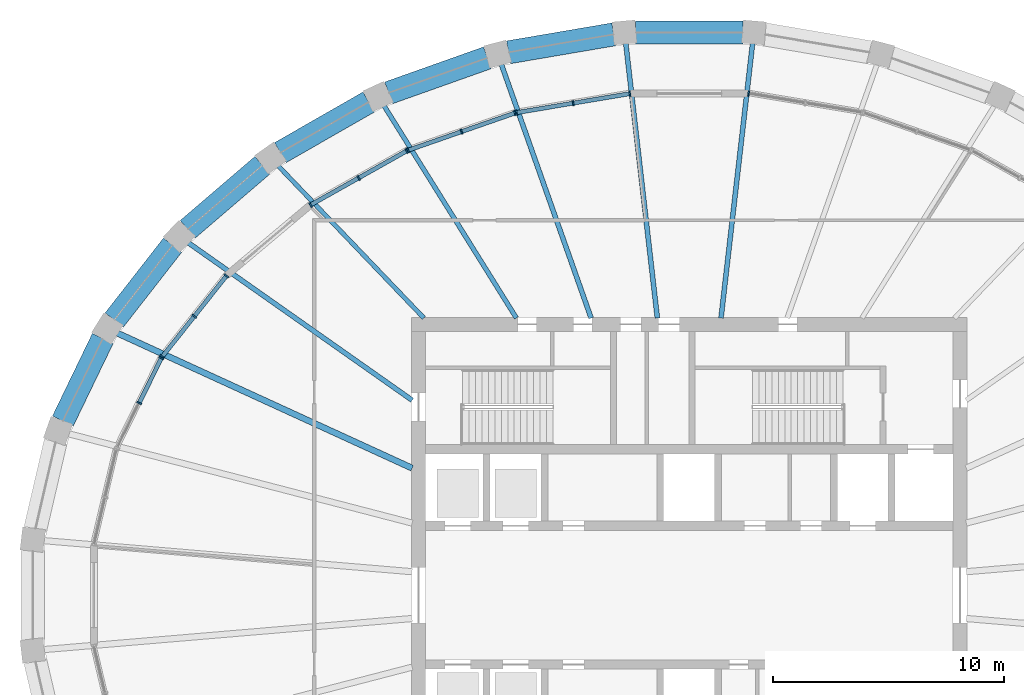
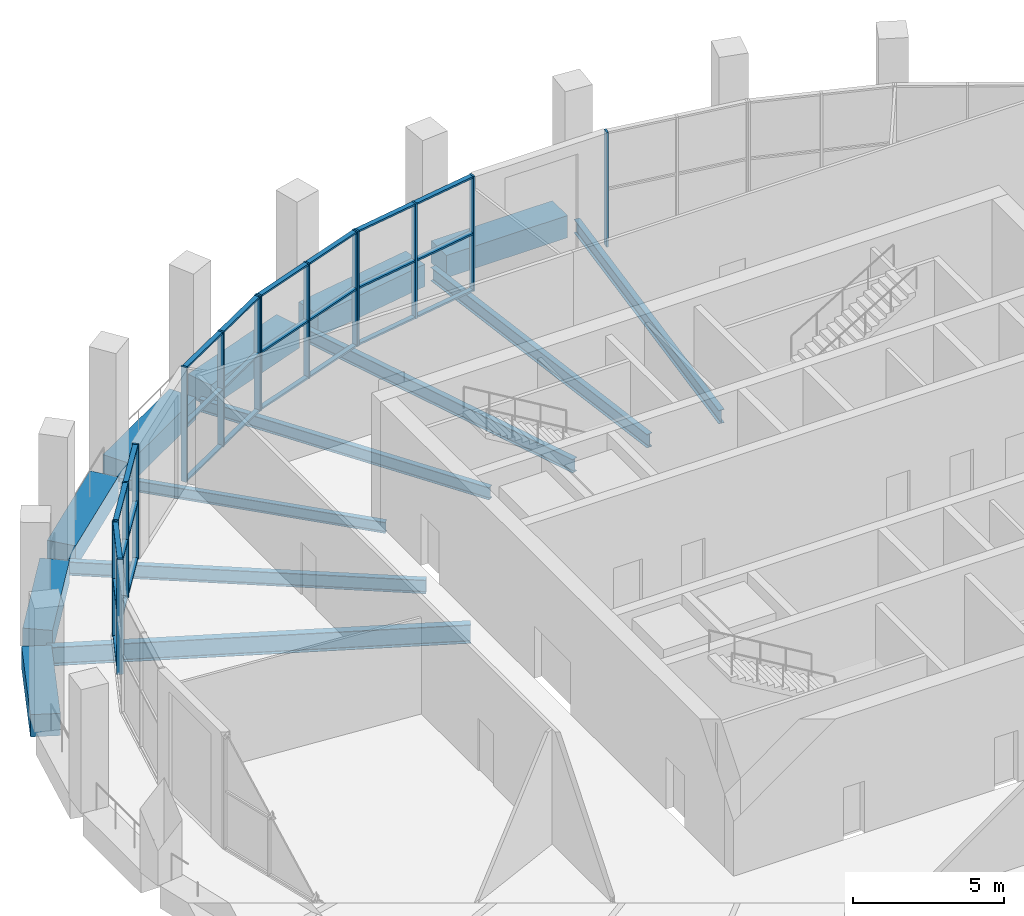
# One storey, part 6 of 16: 42 members, 14 beams, 6 elements without a shape of their own.
"""IFC4 building model written with IfcOpenShell, lengths in metres."""

from ifc_helpers import new_model, si_unit, direction, frame, origin, origin_2d, place, context, subcontext, project, spatial, rectangle, i_section, extrude, material, material_profile, profile_set, type_object, element, aggregate, save


model = new_model("IFC4")

# Units and contexts
model_context = context("Model", 3, precision=1e-05, world=origin(), true_north=direction((0.0, 1.0)))
body_context = subcontext(model_context, "Body", "Model", "MODEL_VIEW")
ifc_project = project(units=[si_unit("LENGTHUNIT", "METRE"), si_unit("AREAUNIT", "SQUARE_METRE"), si_unit("VOLUMEUNIT", "CUBIC_METRE"), si_unit("PLANEANGLEUNIT", "RADIAN"), si_unit("MASSUNIT", "GRAM", prefix="KILO")], contexts=[model_context])

# Site, building, storey
site_placement = place(None, origin())
site = spatial("IfcSite", under=ifc_project, at=site_placement, CompositionType="ELEMENT")
building_placement = place(site_placement, origin())
building = spatial("IfcBuilding", under=site, at=building_placement, Name="Halqa Exchange Tower", CompositionType="ELEMENT")
storey_placement = place(building_placement, frame((0.0, 0.0, 333.300048828125)))
storey = spatial("IfcBuildingStorey", under=building, at=storey_placement, Name="L78", CompositionType="ELEMENT", Elevation=333.300048828125)

# Beams
ifc_material_1 = material(Name="Steel S355", Category="steel")
ifc_material_profile_1 = material_profile(ifc_material_1, i_section(OverallWidth=0.18994140625, OverallDepth=0.449951171875, WebThickness=0.009521484375, FlangeThickness=0.0146484375, FilletRadius=0.02099609375, at=origin_2d()), Name="IPE 450")
ifc_profile_set_1 = profile_set([ifc_material_profile_1], Name="Steel S355")
beam_type_1 = type_object("IfcBeamType", Name="Floor beam IPE 450", PredefinedType="BEAM", material=ifc_profile_set_1)
beam_1_placement = place(storey_placement, frame((-11.462890625, 11.97216796875, -0.574951171875), z_axis=(-0.6915759213, 0.722303776175, 0.0), x_axis=(-0.722303776175, -0.6915759213, 0.0)))
element("IfcBeam", 1, at=beam_1_placement, inside=storey, type_object=beam_type_1, Name="Radial beam 12", PredefinedType="BEAM", context=body_context, shape_type="SweptSolid", body=[
    extrude(i_section(OverallWidth=0.18994140625, OverallDepth=0.449951171875, WebThickness=0.009521484375, FlangeThickness=0.0146484375, FilletRadius=0.02099609375, at=origin_2d()), origin(), (0.0, 0.0, 1.0), 9.192626953125),
])
ifc_material_profile_2 = material_profile(ifc_material_1, i_section(OverallWidth=0.199951171875, OverallDepth=0.5, WebThickness=0.01025390625, FlangeThickness=0.01611328125, FilletRadius=0.02099609375, at=origin_2d()), Name="IPE 500")
ifc_profile_set_2 = profile_set([ifc_material_profile_2], Name="Steel S355")
beam_type_2 = type_object("IfcBeamType", Name="Floor beam IPE 500", PredefinedType="BEAM", material=ifc_profile_set_2)
beam_2_placement = place(storey_placement, frame((-7.4658203125, 11.97216796875, -0.60009765625), z_axis=(-0.529137326003, 0.848536204431, 0.0), x_axis=(-0.848536204431, -0.529137326003, 0.0)))
element("IfcBeam", 2, at=beam_2_placement, inside=storey, type_object=beam_type_2, Name="Radial beam 11", PredefinedType="BEAM", context=body_context, shape_type="SweptSolid", body=[
    extrude(i_section(OverallWidth=0.199951171875, OverallDepth=0.5, WebThickness=0.01025390625, FlangeThickness=0.01611328125, FilletRadius=0.02099609375, at=origin_2d()), origin(), (0.0, 0.0, 1.0), 10.904541015625),
])
ifc_material_profile_3 = material_profile(ifc_material_1, i_section(OverallWidth=0.2099609375, OverallDepth=0.550048828125, WebThickness=0.010986328125, FlangeThickness=0.01708984375, FilletRadius=0.02392578125, at=origin_2d()), Name="IPE 550")
ifc_profile_set_3 = profile_set([ifc_material_profile_3], Name="Steel S355")
beam_type_3 = type_object("IfcBeamType", Name="Floor beam IPE 550", PredefinedType="BEAM", material=ifc_profile_set_3)
for number, where, z_axis, x_axis, name in (
    (3, (1.37548828125, 11.9716796875, -0.625), (0.114162628095, 0.993462074941, 0.0), (-0.993462074941, 0.114162628095, 0.0), "Radial beam 8"),
    (4, (-1.37548828125, 11.9716796875, -0.625), (-0.114162628095, 0.993462074941, 0.0), (-0.993462074941, -0.114162628095, 0.0), "Radial beam 9"),
):
    element("IfcBeam", number, at=place(storey_placement, frame(where, z_axis=z_axis, x_axis=x_axis)), inside=storey, type_object=beam_type_3, Name=name, PredefinedType="BEAM", context=body_context, shape_type="SweptSolid", body=[
        extrude(i_section(OverallWidth=0.2099609375, OverallDepth=0.550048828125, WebThickness=0.010986328125, FlangeThickness=0.01708984375, FilletRadius=0.02392578125, at=origin_2d()), origin(), (0.0, 0.0, 1.0), 12.048583984375),
    ])
beam_3_placement = place(storey_placement, frame((-4.23681640625, 11.971923828125, -0.625), z_axis=(-0.333622781905, 0.942706656067, 0.0), x_axis=(-0.942706656067, -0.333622781905, 0.0)))
element("IfcBeam", 5, at=beam_3_placement, inside=storey, type_object=beam_type_3, Name="Radial beam 10", PredefinedType="BEAM", context=body_context, shape_type="SweptSolid", body=[
    extrude(i_section(OverallWidth=0.2099609375, OverallDepth=0.550048828125, WebThickness=0.010986328125, FlangeThickness=0.01708984375, FilletRadius=0.02392578125, at=origin_2d()), origin(), (0.0, 0.0, 1.0), 11.723876953125),
])
beam_4_placement = place(storey_placement, frame((-11.97265625, 8.422119140625, -0.625), z_axis=(-0.817914568296, 0.57533969007, 0.0), x_axis=(-0.57533969007, -0.817914568296, 0.0)))
element("IfcBeam", 6, at=beam_4_placement, inside=storey, type_object=beam_type_3, Name="Radial beam 13", PredefinedType="BEAM", context=body_context, shape_type="SweptSolid", body=[
    extrude(i_section(OverallWidth=0.2099609375, OverallDepth=0.550048828125, WebThickness=0.010986328125, FlangeThickness=0.01708984375, FilletRadius=0.02392578125, at=origin_2d()), origin(), (0.0, 0.0, 1.0), 11.92138671875),
])
ifc_material_profile_4 = material_profile(ifc_material_1, i_section(OverallWidth=0.264892578125, OverallDepth=0.7529296875, WebThickness=0.01318359375, FlangeThickness=0.01708984375, FilletRadius=0.01708984375, at=origin_2d()), Name="IPE 750x147")
ifc_profile_set_4 = profile_set([ifc_material_profile_4], Name="Steel S355")
beam_type_4 = type_object("IfcBeamType", Name="Floor beam IPE 750x147", PredefinedType="BEAM", material=ifc_profile_set_4)
beam_5_placement = place(storey_placement, frame((-11.972412109375, 5.485107421875, -0.7265625), z_axis=(-0.909126834486, 0.416519385884, 0.0), x_axis=(-0.416519385884, -0.909126834486, 0.0)))
element("IfcBeam", 7, at=beam_5_placement, inside=storey, type_object=beam_type_4, Name="Radial beam 14", PredefinedType="BEAM", context=body_context, shape_type="SweptSolid", body=[
    extrude(i_section(OverallWidth=0.264892578125, OverallDepth=0.7529296875, WebThickness=0.01318359375, FlangeThickness=0.01708984375, FilletRadius=0.01708984375, at=origin_2d()), origin(), (0.0, 0.0, 1.0), 14.10205078125),
])
ifc_material_2 = material(Name="Concrete C60/75", Category="concrete")
ifc_material_profile_5 = material_profile(ifc_material_2, rectangle(XDim=1.0, YDim=0.89990234375, at=origin_2d()), Name="1000 x 900")
ifc_profile_set_5 = profile_set([ifc_material_profile_5], Name="Concrete C60/75")
beam_type_5 = type_object("IfcBeamType", Name="RC spandrel beam 1000 x 900 C60/75", PredefinedType="SPANDREL", material=ifc_profile_set_5)
beam_6_placement = place(storey_placement, frame((2.319580078125, 24.31103515625, -0.449951171875), z_axis=(-1.0, 0.0, 0.0), x_axis=(0.0, -1.0, 0.0)))
element("IfcBeam", 8, at=beam_6_placement, inside=storey, type_object=beam_type_5, Name="Spandrel 8", PredefinedType="SPANDREL", context=body_context, shape_type="SweptSolid", body=[
    extrude(rectangle(XDim=1.0, YDim=0.89990234375, at=origin_2d()), origin(), (0.0, 0.0, 1.0), 4.63916015625),
])
beam_7_placement = place(storey_placement, frame((-3.2607421875, 24.231201171875, -0.449951171875), z_axis=(-0.985773042695, -0.168081849987, 0.0), x_axis=(0.168081849987, -0.985773042695, 0.0)))
element("IfcBeam", 9, at=beam_7_placement, inside=storey, type_object=beam_type_5, Name="Spandrel 9", PredefinedType="SPANDREL", context=body_context, shape_type="SweptSolid", body=[
    extrude(rectangle(XDim=1.0, YDim=0.89990234375, at=origin_2d()), origin(), (0.0, 0.0, 1.0), 4.6103515625),
])
beam_8_placement = place(storey_placement, frame((-8.718994140625, 23.218505859375, -0.449951171875), z_axis=(-0.94236088808, -0.334598201755, 0.0), x_axis=(0.334598201755, -0.94236088808, 0.0)))
element("IfcBeam", 10, at=beam_8_placement, inside=storey, type_object=beam_type_5, Name="Spandrel 10", PredefinedType="SPANDREL", context=body_context, shape_type="SweptSolid", body=[
    extrude(rectangle(XDim=1.0, YDim=0.89990234375, at=origin_2d()), origin(), (0.0, 0.0, 1.0), 4.530517578125),
])
beam_9_placement = place(storey_placement, frame((-13.8466796875, 21.30810546875, -0.449951171875), z_axis=(-0.86778573249, -0.49693855001, 0.0), x_axis=(0.49693855001, -0.86778573249, 0.0)))
element("IfcBeam", 11, at=beam_9_placement, inside=storey, type_object=beam_type_5, Name="Spandrel 11", PredefinedType="SPANDREL", context=body_context, shape_type="SweptSolid", body=[
    extrude(rectangle(XDim=1.0, YDim=0.89990234375, at=origin_2d()), origin(), (0.0, 0.0, 1.0), 4.40478515625),
])
beam_10_placement = place(storey_placement, frame((-18.44091796875, 18.574462890625, -0.449951171875), z_axis=(-0.759232294843, -0.65081973116, 0.0), x_axis=(0.65081973116, -0.759232294843, 0.0)))
element("IfcBeam", 12, at=beam_10_placement, inside=storey, type_object=beam_type_5, Name="Spandrel 12", PredefinedType="SPANDREL", context=body_context, shape_type="SweptSolid", body=[
    extrude(rectangle(XDim=1.0, YDim=0.89990234375, at=origin_2d()), origin(), (0.0, 0.0, 1.0), 4.25390625),
])
beam_11_placement = place(storey_placement, frame((-22.322021484375, 15.123779296875, -0.449951171875), z_axis=(-0.61480594236, -0.788678421943, 0.0), x_axis=(0.788678421943, -0.61480594236, 0.0)))
element("IfcBeam", 13, at=beam_11_placement, inside=storey, type_object=beam_type_5, Name="Spandrel 13", PredefinedType="SPANDREL", context=body_context, shape_type="SweptSolid", body=[
    extrude(rectangle(XDim=1.0, YDim=0.89990234375, at=origin_2d()), origin(), (0.0, 0.0, 1.0), 4.10009765625),
])
beam_12_placement = place(storey_placement, frame((-25.34130859375, 11.088623046875, -0.449951171875), z_axis=(-0.43505216676, -0.900405248873, 0.0), x_axis=(0.900405248873, -0.43505216676, 0.0)))
element("IfcBeam", 14, at=beam_12_placement, inside=storey, type_object=beam_type_5, Name="Spandrel 14", PredefinedType="SPANDREL", context=body_context, shape_type="SweptSolid", body=[
    extrude(rectangle(XDim=1.0, YDim=0.89990234375, at=origin_2d()), origin(), (0.0, 0.0, 1.0), 3.964111328125),
])

# Curtain wall, member
ifc_material_3 = material(Name="Anodised aluminium and clear glass", Category="aluminium")
curtain_wall_type = type_object("IfcCurtainWallType", Name="Sky lobby glazing", PredefinedType="NOTDEFINED", material=ifc_material_3)
curtain_wall_1_placement = place(storey_placement, origin())
curtain_wall_1 = element("IfcCurtainWall", 15, at=curtain_wall_1_placement, inside=storey, type_object=curtain_wall_type, Name="Sky lobby glazing run G7", PredefinedType="NOTDEFINED")
ifc_material_4 = material(Name="Anodised aluminium", Category="aluminium")
ifc_material_profile_6 = material_profile(ifc_material_4, rectangle(XDim=0.219970703125, YDim=0.070068359375, at=origin_2d()), Name="AL 70x220")
ifc_profile_set_6 = profile_set([ifc_material_profile_6], Name="Anodised aluminium")
member_type_1 = type_object("IfcMemberType", Name="Sky lobby glazing mullion 70 x 220", PredefinedType="MULLION", material=ifc_profile_set_6)
member_1_placement = place(storey_placement, frame((2.56591796875, 21.668701171875, 0.0), z_axis=(0.0, 0.0, 1.0), x_axis=(-0.165117129007, -0.986273964834, 0.0)))
member_1 = element("IfcMember", 16, at=member_1_placement, type_object=member_type_1, Name="G7 mullion 3", PredefinedType="MULLION", context=body_context, shape_type="SweptSolid", body=[
    extrude(rectangle(XDim=0.219970703125, YDim=0.070068359375, at=origin_2d()), origin(), (0.0, 0.0, 1.0), 4.64990234375),
])
aggregate(curtain_wall_1, [member_1])

# Curtain wall, members
curtain_wall_2_placement = place(storey_placement, origin())
curtain_wall_2 = element("IfcCurtainWall", 17, at=curtain_wall_2_placement, inside=storey, type_object=curtain_wall_type, Name="Sky lobby glazing run G9", PredefinedType="NOTDEFINED")
member_2_placement = place(storey_placement, frame((-2.56591796875, 21.668701171875, 0.0), z_axis=(0.0, 0.0, 1.0), x_axis=(0.165117129007, -0.986273964834, 0.0)))
member_2 = element("IfcMember", 18, at=member_2_placement, type_object=member_type_1, Name="G9 mullion 1", PredefinedType="MULLION", context=body_context, shape_type="SweptSolid", body=[
    extrude(rectangle(XDim=0.219970703125, YDim=0.070068359375, at=origin_2d()), origin(), (0.0, 0.0, 1.0), 4.64990234375),
])
member_3_placement = place(storey_placement, frame((-5.0146484375, 21.2587890625, 0.0), z_axis=(0.0, 0.0, 1.0), x_axis=(0.165117129007, -0.986273964834, 0.0)))
member_3 = element("IfcMember", 19, at=member_3_placement, type_object=member_type_1, Name="G9 mullion 2", PredefinedType="MULLION", context=body_context, shape_type="SweptSolid", body=[
    extrude(rectangle(XDim=0.219970703125, YDim=0.070068359375, at=origin_2d()), origin(), (0.0, 0.0, 1.0), 4.64990234375),
])
member_4_placement = place(storey_placement, frame((-7.463134765625, 20.848876953125, 0.0), z_axis=(0.0, 0.0, 1.0), x_axis=(0.165117129007, -0.986273964834, 0.0)))
member_4 = element("IfcMember", 20, at=member_4_placement, type_object=member_type_1, Name="G9 mullion 3", PredefinedType="MULLION", context=body_context, shape_type="SweptSolid", body=[
    extrude(rectangle(XDim=0.219970703125, YDim=0.070068359375, at=origin_2d()), origin(), (0.0, 0.0, 1.0), 4.64990234375),
])

curtain_wall_3_placement = place(storey_placement, origin())
curtain_wall_3 = element("IfcCurtainWall", 21, at=curtain_wall_3_placement, inside=storey, type_object=curtain_wall_type, Name="Sky lobby glazing run G10", PredefinedType="NOTDEFINED")
member_5_placement = place(storey_placement, frame((-7.53076171875, 20.83154296875, 0.0), z_axis=(0.0, 0.0, 1.0), x_axis=(0.329160021888, -0.9442741551, 0.0)))
member_5 = element("IfcMember", 22, at=member_5_placement, type_object=member_type_1, Name="G10 mullion 1", PredefinedType="MULLION", context=body_context, shape_type="SweptSolid", body=[
    extrude(rectangle(XDim=0.219970703125, YDim=0.070068359375, at=origin_2d()), origin(), (0.0, 0.0, 1.0), 4.64990234375),
])
member_6_placement = place(storey_placement, frame((-9.837158203125, 20.027587890625, 0.0), z_axis=(0.0, 0.0, 1.0), x_axis=(0.329160021888, -0.9442741551, 0.0)))
member_6 = element("IfcMember", 23, at=member_6_placement, type_object=member_type_1, Name="G10 mullion 2", PredefinedType="MULLION", context=body_context, shape_type="SweptSolid", body=[
    extrude(rectangle(XDim=0.219970703125, YDim=0.070068359375, at=origin_2d()), origin(), (0.0, 0.0, 1.0), 4.64990234375),
])
member_7_placement = place(storey_placement, frame((-12.143798828125, 19.2236328125, 0.0), z_axis=(0.0, 0.0, 1.0), x_axis=(0.329160021888, -0.9442741551, 0.0)))
member_7 = element("IfcMember", 24, at=member_7_placement, type_object=member_type_1, Name="G10 mullion 3", PredefinedType="MULLION", context=body_context, shape_type="SweptSolid", body=[
    extrude(rectangle(XDim=0.219970703125, YDim=0.070068359375, at=origin_2d()), origin(), (0.0, 0.0, 1.0), 4.64990234375),
])

curtain_wall_4_placement = place(storey_placement, origin())
curtain_wall_4 = element("IfcCurtainWall", 25, at=curtain_wall_4_placement, inside=storey, type_object=curtain_wall_type, Name="Sky lobby glazing run G11", PredefinedType="NOTDEFINED")
member_8_placement = place(storey_placement, frame((-12.207275390625, 19.19482421875, 0.0), z_axis=(0.0, 0.0, 1.0), x_axis=(0.490158094997, -0.871633547948, 0.0)))
member_8 = element("IfcMember", 26, at=member_8_placement, type_object=member_type_1, Name="G11 mullion 1", PredefinedType="MULLION", context=body_context, shape_type="SweptSolid", body=[
    extrude(rectangle(XDim=0.219970703125, YDim=0.070068359375, at=origin_2d()), origin(), (0.0, 0.0, 1.0), 4.64990234375),
])
member_9_placement = place(storey_placement, frame((-14.283203125, 18.02734375, 0.0), z_axis=(0.0, 0.0, 1.0), x_axis=(0.490158094997, -0.871633547948, 0.0)))
member_9 = element("IfcMember", 27, at=member_9_placement, type_object=member_type_1, Name="G11 mullion 2", PredefinedType="MULLION", context=body_context, shape_type="SweptSolid", body=[
    extrude(rectangle(XDim=0.219970703125, YDim=0.070068359375, at=origin_2d()), origin(), (0.0, 0.0, 1.0), 4.64990234375),
])
member_10_placement = place(storey_placement, frame((-16.359130859375, 16.860107421875, 0.0), z_axis=(0.0, 0.0, 1.0), x_axis=(0.490158094997, -0.871633547948, 0.0)))
member_10 = element("IfcMember", 28, at=member_10_placement, type_object=member_type_1, Name="G11 mullion 3", PredefinedType="MULLION", context=body_context, shape_type="SweptSolid", body=[
    extrude(rectangle(XDim=0.219970703125, YDim=0.070068359375, at=origin_2d()), origin(), (0.0, 0.0, 1.0), 4.64990234375),
])

curtain_wall_5_placement = place(storey_placement, origin())
curtain_wall_5 = element("IfcCurtainWall", 29, at=curtain_wall_5_placement, inside=storey, type_object=curtain_wall_type, Name="Sky lobby glazing run G13", PredefinedType="NOTDEFINED")
member_11_placement = place(storey_placement, frame((-19.996337890625, 13.798583984375, 0.0), z_axis=(0.0, 0.0, 1.0), x_axis=(0.783162355834, -0.621817275737, 0.0)))
member_11 = element("IfcMember", 30, at=member_11_placement, type_object=member_type_1, Name="G13 mullion 1", PredefinedType="MULLION", context=body_context, shape_type="SweptSolid", body=[
    extrude(rectangle(XDim=0.219970703125, YDim=0.070068359375, at=origin_2d()), origin(), (0.0, 0.0, 1.0), 4.64990234375),
])
member_12_placement = place(storey_placement, frame((-21.3837890625, 12.05126953125, 0.0), z_axis=(0.0, 0.0, 1.0), x_axis=(0.783162355834, -0.621817275737, 0.0)))
member_12 = element("IfcMember", 31, at=member_12_placement, type_object=member_type_1, Name="G13 mullion 2", PredefinedType="MULLION", context=body_context, shape_type="SweptSolid", body=[
    extrude(rectangle(XDim=0.219970703125, YDim=0.070068359375, at=origin_2d()), origin(), (0.0, 0.0, 1.0), 4.64990234375),
])
member_13_placement = place(storey_placement, frame((-22.771240234375, 10.3037109375, 0.0), z_axis=(0.0, 0.0, 1.0), x_axis=(0.783162355834, -0.621817275737, 0.0)))
member_13 = element("IfcMember", 32, at=member_13_placement, type_object=member_type_1, Name="G13 mullion 3", PredefinedType="MULLION", context=body_context, shape_type="SweptSolid", body=[
    extrude(rectangle(XDim=0.219970703125, YDim=0.070068359375, at=origin_2d()), origin(), (0.0, 0.0, 1.0), 4.64990234375),
])

curtain_wall_6_placement = place(storey_placement, origin())
curtain_wall_6 = element("IfcCurtainWall", 33, at=curtain_wall_6_placement, inside=storey, type_object=curtain_wall_type, Name="Sky lobby glazing run G14", PredefinedType="NOTDEFINED")
member_14_placement = place(storey_placement, frame((-22.808349609375, 10.2451171875, 0.0), z_axis=(0.0, 0.0, 1.0), x_axis=(0.897214741349, -0.441594506199, 0.0)))
member_14 = element("IfcMember", 34, at=member_14_placement, type_object=member_type_1, Name="G14 mullion 1", PredefinedType="MULLION", context=body_context, shape_type="SweptSolid", body=[
    extrude(rectangle(XDim=0.219970703125, YDim=0.070068359375, at=origin_2d()), origin(), (0.0, 0.0, 1.0), 4.64990234375),
])
member_15_placement = place(storey_placement, frame((-23.76416015625, 8.302978515625, 0.0), z_axis=(0.0, 0.0, 1.0), x_axis=(0.897214741349, -0.441594506199, 0.0)))
member_15 = element("IfcMember", 35, at=member_15_placement, type_object=member_type_1, Name="G14 mullion 2", PredefinedType="MULLION", context=body_context, shape_type="SweptSolid", body=[
    extrude(rectangle(XDim=0.219970703125, YDim=0.070068359375, at=origin_2d()), origin(), (0.0, 0.0, 1.0), 4.64990234375),
])

# Member
ifc_material_profile_7 = material_profile(ifc_material_4, rectangle(XDim=0.179931640625, YDim=0.070068359375, at=origin_2d()), Name="AL 70x180")
ifc_profile_set_7 = profile_set([ifc_material_profile_7], Name="Anodised aluminium")
member_type_2 = type_object("IfcMemberType", Name="Sky lobby glazing transom 70 x 180", PredefinedType="USERDEFINED", material=ifc_profile_set_7)
member_16_placement = place(storey_placement, frame((-2.6005859375, 21.662841796875, 0.034912109375), z_axis=(-0.986284301217, -0.165055376081, 0.0), x_axis=(0.165055376081, -0.986284301217, 0.0)))
member_16 = element("IfcMember", 36, at=member_16_placement, type_object=member_type_2, Name="G9 transom 1.1", ObjectType="TRANSOM", PredefinedType="USERDEFINED", context=body_context, shape_type="SweptSolid", body=[
    extrude(rectangle(XDim=0.179931640625, YDim=0.070068359375, at=origin_2d()), origin(), (0.0, 0.0, 1.0), 2.41259765625),
])

member_17_placement = place(storey_placement, frame((-2.6005859375, 21.662841796875, 2.324951171875), z_axis=(-0.986284301217, -0.165055376081, 0.0), x_axis=(0.165055376081, -0.986284301217, 0.0)))
member_17 = element("IfcMember", 37, at=member_17_placement, type_object=member_type_2, Name="G9 transom 1.2", ObjectType="TRANSOM", PredefinedType="USERDEFINED", context=body_context, shape_type="SweptSolid", body=[
    extrude(rectangle(XDim=0.179931640625, YDim=0.070068359375, at=origin_2d()), origin(), (0.0, 0.0, 1.0), 2.41259765625),
])

member_18_placement = place(storey_placement, frame((-2.6005859375, 21.662841796875, 4.614990234375), z_axis=(-0.986284301217, -0.165055376081, 0.0), x_axis=(0.165055376081, -0.986284301217, 0.0)))
member_18 = element("IfcMember", 38, at=member_18_placement, type_object=member_type_2, Name="G9 transom 1.3", ObjectType="TRANSOM", PredefinedType="USERDEFINED", context=body_context, shape_type="SweptSolid", body=[
    extrude(rectangle(XDim=0.179931640625, YDim=0.070068359375, at=origin_2d()), origin(), (0.0, 0.0, 1.0), 2.41259765625),
])

member_19_placement = place(storey_placement, frame((-5.049072265625, 21.2529296875, 0.034912109375), z_axis=(-0.986284301217, -0.165055376081, 0.0), x_axis=(0.165055376081, -0.986284301217, 0.0)))
member_19 = element("IfcMember", 39, at=member_19_placement, type_object=member_type_2, Name="G9 transom 2.1", ObjectType="TRANSOM", PredefinedType="USERDEFINED", context=body_context, shape_type="SweptSolid", body=[
    extrude(rectangle(XDim=0.179931640625, YDim=0.070068359375, at=origin_2d()), origin(), (0.0, 0.0, 1.0), 2.41259765625),
])

member_20_placement = place(storey_placement, frame((-5.049072265625, 21.2529296875, 2.324951171875), z_axis=(-0.986284301217, -0.165055376081, 0.0), x_axis=(0.165055376081, -0.986284301217, 0.0)))
member_20 = element("IfcMember", 40, at=member_20_placement, type_object=member_type_2, Name="G9 transom 2.2", ObjectType="TRANSOM", PredefinedType="USERDEFINED", context=body_context, shape_type="SweptSolid", body=[
    extrude(rectangle(XDim=0.179931640625, YDim=0.070068359375, at=origin_2d()), origin(), (0.0, 0.0, 1.0), 2.41259765625),
])

member_21_placement = place(storey_placement, frame((-5.049072265625, 21.2529296875, 4.614990234375), z_axis=(-0.986284301217, -0.165055376081, 0.0), x_axis=(0.165055376081, -0.986284301217, 0.0)))
member_21 = element("IfcMember", 41, at=member_21_placement, type_object=member_type_2, Name="G9 transom 2.3", ObjectType="TRANSOM", PredefinedType="USERDEFINED", context=body_context, shape_type="SweptSolid", body=[
    extrude(rectangle(XDim=0.179931640625, YDim=0.070068359375, at=origin_2d()), origin(), (0.0, 0.0, 1.0), 2.41259765625),
])

aggregate(curtain_wall_2, [member_2, member_3, member_4, member_16, member_17, member_18, member_19, member_20, member_21])

member_22_placement = place(storey_placement, frame((-7.563720703125, 20.820068359375, 0.034912109375), z_axis=(-0.944273088174, -0.329163082605, 0.0), x_axis=(0.329163082605, -0.944273088174, 0.0)))
member_22 = element("IfcMember", 42, at=member_22_placement, type_object=member_type_2, Name="G10 transom 1.1", ObjectType="TRANSOM", PredefinedType="USERDEFINED", context=body_context, shape_type="SweptSolid", body=[
    extrude(rectangle(XDim=0.179931640625, YDim=0.070068359375, at=origin_2d()), origin(), (0.0, 0.0, 1.0), 2.372802734375),
])

member_23_placement = place(storey_placement, frame((-7.563720703125, 20.820068359375, 2.324951171875), z_axis=(-0.944273088174, -0.329163082605, 0.0), x_axis=(0.329163082605, -0.944273088174, 0.0)))
member_23 = element("IfcMember", 43, at=member_23_placement, type_object=member_type_2, Name="G10 transom 1.2", ObjectType="TRANSOM", PredefinedType="USERDEFINED", context=body_context, shape_type="SweptSolid", body=[
    extrude(rectangle(XDim=0.179931640625, YDim=0.070068359375, at=origin_2d()), origin(), (0.0, 0.0, 1.0), 2.372802734375),
])

member_24_placement = place(storey_placement, frame((-7.563720703125, 20.820068359375, 4.614990234375), z_axis=(-0.944273088174, -0.329163082605, 0.0), x_axis=(0.329163082605, -0.944273088174, 0.0)))
member_24 = element("IfcMember", 44, at=member_24_placement, type_object=member_type_2, Name="G10 transom 1.3", ObjectType="TRANSOM", PredefinedType="USERDEFINED", context=body_context, shape_type="SweptSolid", body=[
    extrude(rectangle(XDim=0.179931640625, YDim=0.070068359375, at=origin_2d()), origin(), (0.0, 0.0, 1.0), 2.372802734375),
])

member_25_placement = place(storey_placement, frame((-9.870361328125, 20.01611328125, 0.034912109375), z_axis=(-0.94426193798, -0.329195067524, 0.0), x_axis=(0.329195067524, -0.94426193798, 0.0)))
member_25 = element("IfcMember", 45, at=member_25_placement, type_object=member_type_2, Name="G10 transom 2.1", ObjectType="TRANSOM", PredefinedType="USERDEFINED", context=body_context, shape_type="SweptSolid", body=[
    extrude(rectangle(XDim=0.179931640625, YDim=0.070068359375, at=origin_2d()), origin(), (0.0, 0.0, 1.0), 2.37255859375),
])

member_26_placement = place(storey_placement, frame((-9.870361328125, 20.01611328125, 2.324951171875), z_axis=(-0.94426193798, -0.329195067524, 0.0), x_axis=(0.329195067524, -0.94426193798, 0.0)))
member_26 = element("IfcMember", 46, at=member_26_placement, type_object=member_type_2, Name="G10 transom 2.2", ObjectType="TRANSOM", PredefinedType="USERDEFINED", context=body_context, shape_type="SweptSolid", body=[
    extrude(rectangle(XDim=0.179931640625, YDim=0.070068359375, at=origin_2d()), origin(), (0.0, 0.0, 1.0), 2.37255859375),
])

member_27_placement = place(storey_placement, frame((-9.870361328125, 20.01611328125, 4.614990234375), z_axis=(-0.94426193798, -0.329195067524, 0.0), x_axis=(0.329195067524, -0.94426193798, 0.0)))
member_27 = element("IfcMember", 47, at=member_27_placement, type_object=member_type_2, Name="G10 transom 2.3", ObjectType="TRANSOM", PredefinedType="USERDEFINED", context=body_context, shape_type="SweptSolid", body=[
    extrude(rectangle(XDim=0.179931640625, YDim=0.070068359375, at=origin_2d()), origin(), (0.0, 0.0, 1.0), 2.37255859375),
])

aggregate(curtain_wall_3, [member_5, member_6, member_7, member_22, member_23, member_24, member_25, member_26, member_27])

member_28_placement = place(storey_placement, frame((-12.23779296875, 19.177734375, 0.034912109375), z_axis=(-0.871634762518, -0.490155935157, 0.0), x_axis=(0.490155935157, -0.871634762518, 0.0)))
member_28 = element("IfcMember", 48, at=member_28_placement, type_object=member_type_2, Name="G11 transom 1.1", ObjectType="TRANSOM", PredefinedType="USERDEFINED", context=body_context, shape_type="SweptSolid", body=[
    extrude(rectangle(XDim=0.179931640625, YDim=0.070068359375, at=origin_2d()), origin(), (0.0, 0.0, 1.0), 2.3115234375),
])

member_29_placement = place(storey_placement, frame((-12.23779296875, 19.177734375, 2.324951171875), z_axis=(-0.871634762518, -0.490155935157, 0.0), x_axis=(0.490155935157, -0.871634762518, 0.0)))
member_29 = element("IfcMember", 49, at=member_29_placement, type_object=member_type_2, Name="G11 transom 1.2", ObjectType="TRANSOM", PredefinedType="USERDEFINED", context=body_context, shape_type="SweptSolid", body=[
    extrude(rectangle(XDim=0.179931640625, YDim=0.070068359375, at=origin_2d()), origin(), (0.0, 0.0, 1.0), 2.3115234375),
])

member_30_placement = place(storey_placement, frame((-12.23779296875, 19.177734375, 4.614990234375), z_axis=(-0.871634762518, -0.490155935157, 0.0), x_axis=(0.490155935157, -0.871634762518, 0.0)))
member_30 = element("IfcMember", 50, at=member_30_placement, type_object=member_type_2, Name="G11 transom 1.3", ObjectType="TRANSOM", PredefinedType="USERDEFINED", context=body_context, shape_type="SweptSolid", body=[
    extrude(rectangle(XDim=0.179931640625, YDim=0.070068359375, at=origin_2d()), origin(), (0.0, 0.0, 1.0), 2.3115234375),
])

member_31_placement = place(storey_placement, frame((-14.313720703125, 18.01025390625, 0.034912109375), z_axis=(-0.871634762518, -0.490155935157, 0.0), x_axis=(0.490155935157, -0.871634762518, 0.0)))
member_31 = element("IfcMember", 51, at=member_31_placement, type_object=member_type_2, Name="G11 transom 2.1", ObjectType="TRANSOM", PredefinedType="USERDEFINED", context=body_context, shape_type="SweptSolid", body=[
    extrude(rectangle(XDim=0.179931640625, YDim=0.070068359375, at=origin_2d()), origin(), (0.0, 0.0, 1.0), 2.3115234375),
])

member_32_placement = place(storey_placement, frame((-14.313720703125, 18.01025390625, 2.324951171875), z_axis=(-0.871634762518, -0.490155935157, 0.0), x_axis=(0.490155935157, -0.871634762518, 0.0)))
member_32 = element("IfcMember", 52, at=member_32_placement, type_object=member_type_2, Name="G11 transom 2.2", ObjectType="TRANSOM", PredefinedType="USERDEFINED", context=body_context, shape_type="SweptSolid", body=[
    extrude(rectangle(XDim=0.179931640625, YDim=0.070068359375, at=origin_2d()), origin(), (0.0, 0.0, 1.0), 2.3115234375),
])

member_33_placement = place(storey_placement, frame((-14.313720703125, 18.01025390625, 4.614990234375), z_axis=(-0.871634762518, -0.490155935157, 0.0), x_axis=(0.490155935157, -0.871634762518, 0.0)))
member_33 = element("IfcMember", 53, at=member_33_placement, type_object=member_type_2, Name="G11 transom 2.3", ObjectType="TRANSOM", PredefinedType="USERDEFINED", context=body_context, shape_type="SweptSolid", body=[
    extrude(rectangle(XDim=0.179931640625, YDim=0.070068359375, at=origin_2d()), origin(), (0.0, 0.0, 1.0), 2.3115234375),
])

aggregate(curtain_wall_4, [member_8, member_9, member_10, member_28, member_29, member_30, member_31, member_32, member_33])

member_34_placement = place(storey_placement, frame((-20.01806640625, 13.771240234375, 0.034912109375), z_axis=(-0.621770069229, -0.78319983466, 0.0), x_axis=(0.78319983466, -0.621770069229, 0.0)))
member_34 = element("IfcMember", 54, at=member_34_placement, type_object=member_type_2, Name="G13 transom 1.1", ObjectType="TRANSOM", PredefinedType="USERDEFINED", context=body_context, shape_type="SweptSolid", body=[
    extrude(rectangle(XDim=0.179931640625, YDim=0.070068359375, at=origin_2d()), origin(), (0.0, 0.0, 1.0), 2.1611328125),
])

member_35_placement = place(storey_placement, frame((-20.01806640625, 13.771240234375, 2.324951171875), z_axis=(-0.621770069229, -0.78319983466, 0.0), x_axis=(0.78319983466, -0.621770069229, 0.0)))
member_35 = element("IfcMember", 55, at=member_35_placement, type_object=member_type_2, Name="G13 transom 1.2", ObjectType="TRANSOM", PredefinedType="USERDEFINED", context=body_context, shape_type="SweptSolid", body=[
    extrude(rectangle(XDim=0.179931640625, YDim=0.070068359375, at=origin_2d()), origin(), (0.0, 0.0, 1.0), 2.1611328125),
])

member_36_placement = place(storey_placement, frame((-20.01806640625, 13.771240234375, 4.614990234375), z_axis=(-0.621770069229, -0.78319983466, 0.0), x_axis=(0.78319983466, -0.621770069229, 0.0)))
member_36 = element("IfcMember", 56, at=member_36_placement, type_object=member_type_2, Name="G13 transom 1.3", ObjectType="TRANSOM", PredefinedType="USERDEFINED", context=body_context, shape_type="SweptSolid", body=[
    extrude(rectangle(XDim=0.179931640625, YDim=0.070068359375, at=origin_2d()), origin(), (0.0, 0.0, 1.0), 2.1611328125),
])

member_37_placement = place(storey_placement, frame((-21.405517578125, 12.02392578125, 0.034912109375), z_axis=(-0.621770069229, -0.78319983466, 0.0), x_axis=(0.78319983466, -0.621770069229, 0.0)))
member_37 = element("IfcMember", 57, at=member_37_placement, type_object=member_type_2, Name="G13 transom 2.1", ObjectType="TRANSOM", PredefinedType="USERDEFINED", context=body_context, shape_type="SweptSolid", body=[
    extrude(rectangle(XDim=0.179931640625, YDim=0.070068359375, at=origin_2d()), origin(), (0.0, 0.0, 1.0), 2.1611328125),
])

member_38_placement = place(storey_placement, frame((-21.405517578125, 12.02392578125, 2.324951171875), z_axis=(-0.621770069229, -0.78319983466, 0.0), x_axis=(0.78319983466, -0.621770069229, 0.0)))
member_38 = element("IfcMember", 58, at=member_38_placement, type_object=member_type_2, Name="G13 transom 2.2", ObjectType="TRANSOM", PredefinedType="USERDEFINED", context=body_context, shape_type="SweptSolid", body=[
    extrude(rectangle(XDim=0.179931640625, YDim=0.070068359375, at=origin_2d()), origin(), (0.0, 0.0, 1.0), 2.1611328125),
])

member_39_placement = place(storey_placement, frame((-21.405517578125, 12.02392578125, 4.614990234375), z_axis=(-0.621770069229, -0.78319983466, 0.0), x_axis=(0.78319983466, -0.621770069229, 0.0)))
member_39 = element("IfcMember", 59, at=member_39_placement, type_object=member_type_2, Name="G13 transom 2.3", ObjectType="TRANSOM", PredefinedType="USERDEFINED", context=body_context, shape_type="SweptSolid", body=[
    extrude(rectangle(XDim=0.179931640625, YDim=0.070068359375, at=origin_2d()), origin(), (0.0, 0.0, 1.0), 2.1611328125),
])

aggregate(curtain_wall_5, [member_11, member_12, member_13, member_34, member_35, member_36, member_37, member_38, member_39])

member_40_placement = place(storey_placement, frame((-22.82373046875, 10.213623046875, 0.034912109375), z_axis=(-0.441656599677, -0.89718417728, 0.0), x_axis=(0.89718417728, -0.441656599677, 0.0)))
member_40 = element("IfcMember", 60, at=member_40_placement, type_object=member_type_2, Name="G14 transom 1.1", ObjectType="TRANSOM", PredefinedType="USERDEFINED", context=body_context, shape_type="SweptSolid", body=[
    extrude(rectangle(XDim=0.179931640625, YDim=0.070068359375, at=origin_2d()), origin(), (0.0, 0.0, 1.0), 2.094482421875),
])

member_41_placement = place(storey_placement, frame((-22.82373046875, 10.213623046875, 2.324951171875), z_axis=(-0.441656599677, -0.89718417728, 0.0), x_axis=(0.89718417728, -0.441656599677, 0.0)))
member_41 = element("IfcMember", 61, at=member_41_placement, type_object=member_type_2, Name="G14 transom 1.2", ObjectType="TRANSOM", PredefinedType="USERDEFINED", context=body_context, shape_type="SweptSolid", body=[
    extrude(rectangle(XDim=0.179931640625, YDim=0.070068359375, at=origin_2d()), origin(), (0.0, 0.0, 1.0), 2.094482421875),
])

member_42_placement = place(storey_placement, frame((-22.82373046875, 10.213623046875, 4.614990234375), z_axis=(-0.441656599677, -0.89718417728, 0.0), x_axis=(0.89718417728, -0.441656599677, 0.0)))
member_42 = element("IfcMember", 62, at=member_42_placement, type_object=member_type_2, Name="G14 transom 1.3", ObjectType="TRANSOM", PredefinedType="USERDEFINED", context=body_context, shape_type="SweptSolid", body=[
    extrude(rectangle(XDim=0.179931640625, YDim=0.070068359375, at=origin_2d()), origin(), (0.0, 0.0, 1.0), 2.094482421875),
])

aggregate(curtain_wall_6, [member_14, member_15, member_40, member_41, member_42])

save(model, "model.ifc")
